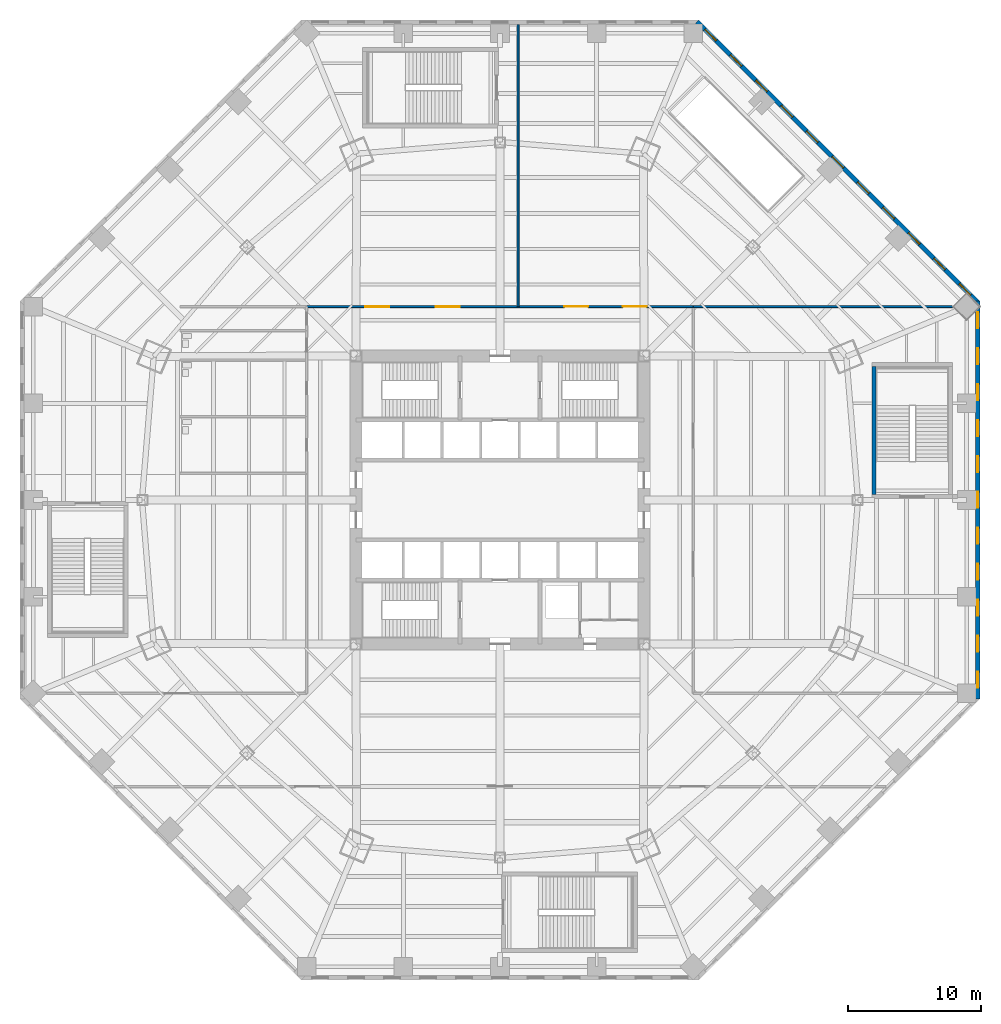
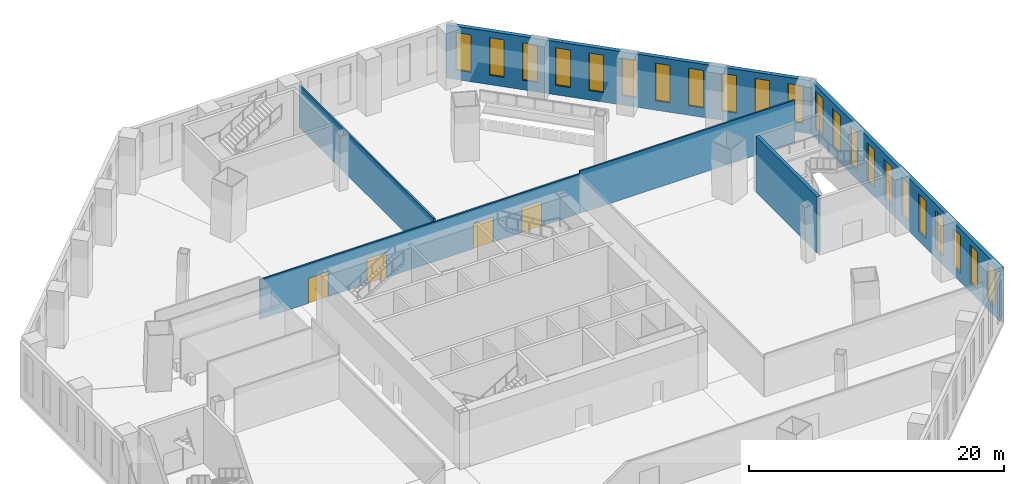
# One storey, part 12 of 18: 22 windows, 6 walls, 4 doors, 26 openings.
"""IFC4 building model written with IfcOpenShell, lengths in metres."""

from ifc_helpers import new_model, si_unit, direction, frame, frame_2d, origin, place, context, subcontext, project, spatial, rectangle, extrude, material, layer, layer_set, type_object, element, fill, save


model = new_model("IFC4")

# Units and contexts
model_context = context("Model", 3, precision=1e-05, world=origin(), true_north=direction((0.0, 1.0)))
body_context = subcontext(model_context, "Body", "Model", "MODEL_VIEW")
ifc_project = project(units=[si_unit("LENGTHUNIT", "METRE"), si_unit("AREAUNIT", "SQUARE_METRE"), si_unit("VOLUMEUNIT", "CUBIC_METRE"), si_unit("PLANEANGLEUNIT", "RADIAN"), si_unit("MASSUNIT", "GRAM", prefix="KILO")], contexts=[model_context])

# Site, building, storey
site_placement = place(None, origin())
site = spatial("IfcSite", under=ifc_project, at=site_placement, CompositionType="ELEMENT")
building_placement = place(site_placement, origin())
building = spatial("IfcBuilding", under=site, at=building_placement, Name="Mashrafa Tower", CompositionType="ELEMENT")
storey_placement = place(building_placement, frame((0.0, 0.0, 13.199951171875)))
storey = spatial("IfcBuildingStorey", under=building, at=storey_placement, Name="L02", CompositionType="ELEMENT", Elevation=13.199951171875)

# Wall, openings, doors
ifc_material_1 = material(Name="Gypsum board on steel studs", Category="steel")
ifc_layer_1 = layer(ifc_material_1, 0.14990234375)
ifc_layer_set_1 = layer_set([ifc_layer_1], Name="Corridor partition 150 1 hr")
wall_type_1 = type_object("IfcWallType", Name="Corridor partition 150 1 hr", PredefinedType="PARTITIONING", material=ifc_layer_set_1)
wall_1_placement = place(storey_placement, frame((-14.5009765625, 14.5, 0.0), z_axis=(0.0, 0.0, 1.0), x_axis=(1.0, 0.0, 0.0)))
wall_1 = element("IfcWall", 1, at=wall_1_placement, inside=storey, type_object=wall_type_1, Name="Corridor wall L02-011", PredefinedType="PARTITIONING", context=body_context, shape_type="SweptSolid", body=[
    extrude(rectangle(XDim=29.001953125, YDim=0.14990234375, at=frame_2d((14.5009765625, 0.0))), origin(), (0.0, 0.0, 1.0), 3.7900390625),
])
opening_1_placement = place(wall_1_placement, frame((4.3837890625, 0.0, 0.0)))
opening_1 = element("IfcOpeningElement", 2, at=opening_1_placement, cuts=wall_1, Name="Opening 02.005", PredefinedType="OPENING", context=body_context, shape_type="SweptSolid", body=[
    extrude(rectangle(XDim=1.800048828125, YDim=2.39990234375, at=frame_2d((0.89990234375, 1.199951171875))), frame((0.0, 0.0849609375, 0.0), z_axis=(0.0, -1.0, 0.0), x_axis=(1.0, 0.0, 0.0)), (0.0, 0.0, 1.0), 0.169921875),
])
opening_2_placement = place(wall_1_placement, frame((9.667236328125, 0.0, 0.0)))
opening_2 = element("IfcOpeningElement", 3, at=opening_2_placement, cuts=wall_1, Name="Opening 02.006", PredefinedType="OPENING", context=body_context, shape_type="SweptSolid", body=[
    extrude(rectangle(XDim=1.800048828125, YDim=2.39990234375, at=frame_2d((0.89990234375, 1.199951171875))), frame((0.0, 0.0849609375, 0.0), z_axis=(0.0, -1.0, 0.0), x_axis=(1.0, 0.0, 0.0)), (0.0, 0.0, 1.0), 0.169921875),
])
opening_3_placement = place(wall_1_placement, frame((19.334716796875, 0.0, 0.0)))
opening_3 = element("IfcOpeningElement", 4, at=opening_3_placement, cuts=wall_1, Name="Opening 02.007", PredefinedType="OPENING", context=body_context, shape_type="SweptSolid", body=[
    extrude(rectangle(XDim=1.800048828125, YDim=2.39990234375, at=frame_2d((0.89990234375, 1.199951171875))), frame((0.0, 0.0849609375, 0.0), z_axis=(0.0, -1.0, 0.0), x_axis=(1.0, 0.0, 0.0)), (0.0, 0.0, 1.0), 0.169921875),
])
opening_4_placement = place(wall_1_placement, frame((23.71826171875, 0.0, 0.0)))
opening_4 = element("IfcOpeningElement", 5, at=opening_4_placement, cuts=wall_1, Name="Opening 02.008", PredefinedType="OPENING", context=body_context, shape_type="SweptSolid", body=[
    extrude(rectangle(XDim=1.800048828125, YDim=2.39990234375, at=frame_2d((0.89990234375, 1.199951171875))), frame((0.0, 0.0849609375, 0.0), z_axis=(0.0, -1.0, 0.0), x_axis=(1.0, 0.0, 0.0)), (0.0, 0.0, 1.0), 0.169921875),
])
ifc_material_2 = material(Name="Timber door", Category="wood")
door_type = type_object("IfcDoorType", Name="Door pair 1800 x 2400", OperationType="DOUBLE_DOOR_SINGLE_SWING", PredefinedType="DOOR", material=ifc_material_2)
door_1_placement = place(opening_1_placement, origin())
door_1 = element("IfcDoor", 6, at=door_1_placement, inside=storey, type_object=door_type, Name="Exhibition Gallery 201 door", OperationType="DOUBLE_DOOR_SINGLE_SWING", OverallHeight=2.39990234375, OverallWidth=1.800048828125, PredefinedType="DOOR", context=body_context, shape_type="SweptSolid", body=[
    extrude(rectangle(XDim=1.800048828125, YDim=2.39990234375, at=frame_2d((0.89990234375, 1.199951171875))), frame((0.0, 0.02490234375, 0.0), z_axis=(0.0, -1.0, 0.0), x_axis=(1.0, 0.0, 0.0)), (0.0, 0.0, 1.0), 0.050048828125),
])
fill(opening_1, door_1)
door_2_placement = place(opening_2_placement, origin())
door_2 = element("IfcDoor", 7, at=door_2_placement, inside=storey, type_object=door_type, Name="Exhibition Gallery 201 door", OperationType="DOUBLE_DOOR_SINGLE_SWING", OverallHeight=2.39990234375, OverallWidth=1.800048828125, PredefinedType="DOOR", context=body_context, shape_type="SweptSolid", body=[
    extrude(rectangle(XDim=1.800048828125, YDim=2.39990234375, at=frame_2d((0.89990234375, 1.199951171875))), frame((0.0, 0.02490234375, 0.0), z_axis=(0.0, -1.0, 0.0), x_axis=(1.0, 0.0, 0.0)), (0.0, 0.0, 1.0), 0.050048828125),
])
fill(opening_2, door_2)
door_3_placement = place(opening_3_placement, frame((1.800048828125, 0.0, 0.0), z_axis=(0.0, 0.0, 1.0), x_axis=(-1.0, 0.0, 0.0)))
door_3 = element("IfcDoor", 8, at=door_3_placement, inside=storey, type_object=door_type, Name="Exhibition Gallery 202 door", OperationType="DOUBLE_DOOR_SINGLE_SWING", OverallHeight=2.39990234375, OverallWidth=1.800048828125, PredefinedType="DOOR", context=body_context, shape_type="SweptSolid", body=[
    extrude(rectangle(XDim=1.800048828125, YDim=2.39990234375, at=frame_2d((0.89990234375, 1.199951171875))), frame((0.0, 0.02490234375, 0.0), z_axis=(0.0, -1.0, 0.0), x_axis=(1.0, 0.0, 0.0)), (0.0, 0.0, 1.0), 0.050048828125),
])
fill(opening_3, door_3)
door_4_placement = place(opening_4_placement, frame((1.800048828125, 0.0, 0.0), z_axis=(0.0, 0.0, 1.0), x_axis=(-1.0, 0.0, 0.0)))
door_4 = element("IfcDoor", 9, at=door_4_placement, inside=storey, type_object=door_type, Name="Exhibition Gallery 202 door", OperationType="DOUBLE_DOOR_SINGLE_SWING", OverallHeight=2.39990234375, OverallWidth=1.800048828125, PredefinedType="DOOR", context=body_context, shape_type="SweptSolid", body=[
    extrude(rectangle(XDim=1.800048828125, YDim=2.39990234375, at=frame_2d((0.89990234375, 1.199951171875))), frame((0.0, 0.02490234375, 0.0), z_axis=(0.0, -1.0, 0.0), x_axis=(1.0, 0.0, 0.0)), (0.0, 0.0, 1.0), 0.050048828125),
])
fill(opening_4, door_4)

# Wall, openings, windows
ifc_material_3 = material(Name="Riyadh limestone cladding on blockwork", Category="masonry")
ifc_layer_2 = layer(ifc_material_3, 0.35009765625)
ifc_layer_set_2 = layer_set([ifc_layer_2], Name="Limestone-clad external wall 350")
wall_type_2 = type_object("IfcWallType", Name="Limestone-clad external wall 350", PredefinedType="SOLIDWALL", material=ifc_layer_set_2)
wall_2_placement = place(storey_placement, frame((35.824951171875, -14.91162109375, 0.0), z_axis=(0.0, 0.0, 1.0), x_axis=(0.0, 1.0, 0.0)))
wall_2 = element("IfcWall", 10, at=wall_2_placement, inside=storey, type_object=wall_type_2, Name="Limestone-clad external wall L02 east", PredefinedType="SOLIDWALL", context=body_context, shape_type="SweptSolid", body=[
    extrude(rectangle(XDim=29.8232421875, YDim=0.35009765625, at=frame_2d((14.91162109375, 0.0))), origin(), (0.0, 0.0, 1.0), 5.10009765625),
])
opening_5_placement = place(wall_2_placement, frame((0.821533203125, 0.0, 0.89990234375)))
opening_5 = element("IfcOpeningElement", 11, at=opening_5_placement, cuts=wall_2, Name="Opening W2", PredefinedType="OPENING", context=body_context, shape_type="SweptSolid", body=[
    extrude(rectangle(XDim=1.199951171875, YDim=3.60009765625, at=frame_2d((0.60009765625, 1.800048828125))), frame((0.0, 0.18505859375, 0.0), z_axis=(0.0, -1.0, 0.0), x_axis=(1.0, 0.0, 0.0)), (0.0, 0.0, 1.0), 0.3701171875),
])
opening_6_placement = place(wall_2_placement, frame((3.51953125, 0.0, 0.89990234375)))
opening_6 = element("IfcOpeningElement", 12, at=opening_6_placement, cuts=wall_2, Name="Opening W2", PredefinedType="OPENING", context=body_context, shape_type="SweptSolid", body=[
    extrude(rectangle(XDim=1.199951171875, YDim=3.60009765625, at=frame_2d((0.60009765625, 1.800048828125))), frame((0.0, 0.18505859375, 0.0), z_axis=(0.0, -1.0, 0.0), x_axis=(1.0, 0.0, 0.0)), (0.0, 0.0, 1.0), 0.3701171875),
])
opening_7_placement = place(wall_2_placement, frame((6.217529296875, 0.0, 0.89990234375)))
opening_7 = element("IfcOpeningElement", 13, at=opening_7_placement, cuts=wall_2, Name="Opening W2", PredefinedType="OPENING", context=body_context, shape_type="SweptSolid", body=[
    extrude(rectangle(XDim=1.199951171875, YDim=3.60009765625, at=frame_2d((0.60009765625, 1.800048828125))), frame((0.0, 0.18505859375, 0.0), z_axis=(0.0, -1.0, 0.0), x_axis=(1.0, 0.0, 0.0)), (0.0, 0.0, 1.0), 0.3701171875),
])
opening_8_placement = place(wall_2_placement, frame((8.91552734375, 0.0, 0.89990234375)))
opening_8 = element("IfcOpeningElement", 14, at=opening_8_placement, cuts=wall_2, Name="Opening W2", PredefinedType="OPENING", context=body_context, shape_type="SweptSolid", body=[
    extrude(rectangle(XDim=1.199951171875, YDim=3.60009765625, at=frame_2d((0.60009765625, 1.800048828125))), frame((0.0, 0.18505859375, 0.0), z_axis=(0.0, -1.0, 0.0), x_axis=(1.0, 0.0, 0.0)), (0.0, 0.0, 1.0), 0.3701171875),
])
opening_9_placement = place(wall_2_placement, frame((11.61376953125, 0.0, 0.89990234375)))
opening_9 = element("IfcOpeningElement", 15, at=opening_9_placement, cuts=wall_2, Name="Opening W2", PredefinedType="OPENING", context=body_context, shape_type="SweptSolid", body=[
    extrude(rectangle(XDim=1.199951171875, YDim=3.60009765625, at=frame_2d((0.60009765625, 1.800048828125))), frame((0.0, 0.18505859375, 0.0), z_axis=(0.0, -1.0, 0.0), x_axis=(1.0, 0.0, 0.0)), (0.0, 0.0, 1.0), 0.3701171875),
])
opening_10_placement = place(wall_2_placement, frame((14.311767578125, 0.0, 0.89990234375)))
opening_10 = element("IfcOpeningElement", 16, at=opening_10_placement, cuts=wall_2, Name="Opening W2", PredefinedType="OPENING", context=body_context, shape_type="SweptSolid", body=[
    extrude(rectangle(XDim=1.199951171875, YDim=3.60009765625, at=frame_2d((0.60009765625, 1.800048828125))), frame((0.0, 0.18505859375, 0.0), z_axis=(0.0, -1.0, 0.0), x_axis=(1.0, 0.0, 0.0)), (0.0, 0.0, 1.0), 0.3701171875),
])
opening_11_placement = place(wall_2_placement, frame((17.009765625, 0.0, 0.89990234375)))
opening_11 = element("IfcOpeningElement", 17, at=opening_11_placement, cuts=wall_2, Name="Opening W2", PredefinedType="OPENING", context=body_context, shape_type="SweptSolid", body=[
    extrude(rectangle(XDim=1.199951171875, YDim=3.60009765625, at=frame_2d((0.60009765625, 1.800048828125))), frame((0.0, 0.18505859375, 0.0), z_axis=(0.0, -1.0, 0.0), x_axis=(1.0, 0.0, 0.0)), (0.0, 0.0, 1.0), 0.3701171875),
])
opening_12_placement = place(wall_2_placement, frame((19.707763671875, 0.0, 0.89990234375)))
opening_12 = element("IfcOpeningElement", 18, at=opening_12_placement, cuts=wall_2, Name="Opening W2", PredefinedType="OPENING", context=body_context, shape_type="SweptSolid", body=[
    extrude(rectangle(XDim=1.199951171875, YDim=3.60009765625, at=frame_2d((0.60009765625, 1.800048828125))), frame((0.0, 0.18505859375, 0.0), z_axis=(0.0, -1.0, 0.0), x_axis=(1.0, 0.0, 0.0)), (0.0, 0.0, 1.0), 0.3701171875),
])
opening_13_placement = place(wall_2_placement, frame((22.40576171875, 0.0, 0.89990234375)))
opening_13 = element("IfcOpeningElement", 19, at=opening_13_placement, cuts=wall_2, Name="Opening W2", PredefinedType="OPENING", context=body_context, shape_type="SweptSolid", body=[
    extrude(rectangle(XDim=1.199951171875, YDim=3.60009765625, at=frame_2d((0.60009765625, 1.800048828125))), frame((0.0, 0.18505859375, 0.0), z_axis=(0.0, -1.0, 0.0), x_axis=(1.0, 0.0, 0.0)), (0.0, 0.0, 1.0), 0.3701171875),
])
opening_14_placement = place(wall_2_placement, frame((25.103759765625, 0.0, 0.89990234375)))
opening_14 = element("IfcOpeningElement", 20, at=opening_14_placement, cuts=wall_2, Name="Opening W2", PredefinedType="OPENING", context=body_context, shape_type="SweptSolid", body=[
    extrude(rectangle(XDim=1.199951171875, YDim=3.60009765625, at=frame_2d((0.60009765625, 1.800048828125))), frame((0.0, 0.18505859375, 0.0), z_axis=(0.0, -1.0, 0.0), x_axis=(1.0, 0.0, 0.0)), (0.0, 0.0, 1.0), 0.3701171875),
])
opening_15_placement = place(wall_2_placement, frame((27.8017578125, 0.0, 0.89990234375)))
opening_15 = element("IfcOpeningElement", 21, at=opening_15_placement, cuts=wall_2, Name="Opening W2", PredefinedType="OPENING", context=body_context, shape_type="SweptSolid", body=[
    extrude(rectangle(XDim=1.199951171875, YDim=3.60009765625, at=frame_2d((0.60009765625, 1.800048828125))), frame((0.0, 0.18505859375, 0.0), z_axis=(0.0, -1.0, 0.0), x_axis=(1.0, 0.0, 0.0)), (0.0, 0.0, 1.0), 0.3701171875),
])
ifc_material_4 = material(Name="Bronze-framed insulated glazing", Category="glass")
window_type = type_object("IfcWindowType", Name="Tall punched window 1200 x 3600", PartitioningType="DOUBLE_PANEL_HORIZONTAL", PredefinedType="WINDOW", material=ifc_material_4)
window_1_placement = place(opening_5_placement, origin())
window_1 = element("IfcWindow", 22, at=window_1_placement, inside=storey, type_object=window_type, Name="Window W2 L02 east bay 1", OverallHeight=3.60009765625, OverallWidth=1.199951171875, PartitioningType="SINGLE_PANEL", PredefinedType="WINDOW", context=body_context, shape_type="SweptSolid", body=[
    extrude(rectangle(XDim=1.199951171875, YDim=3.60009765625, at=frame_2d((0.60009765625, 1.800048828125))), frame((0.0, 0.030029296875, 0.0), z_axis=(0.0, -1.0, 0.0), x_axis=(1.0, 0.0, 0.0)), (0.0, 0.0, 1.0), 0.06005859375),
])
fill(opening_5, window_1)
window_2_placement = place(opening_6_placement, origin())
window_2 = element("IfcWindow", 23, at=window_2_placement, inside=storey, type_object=window_type, Name="Window W2 L02 east bay 2", OverallHeight=3.60009765625, OverallWidth=1.199951171875, PartitioningType="SINGLE_PANEL", PredefinedType="WINDOW", context=body_context, shape_type="SweptSolid", body=[
    extrude(rectangle(XDim=1.199951171875, YDim=3.60009765625, at=frame_2d((0.60009765625, 1.800048828125))), frame((0.0, 0.030029296875, 0.0), z_axis=(0.0, -1.0, 0.0), x_axis=(1.0, 0.0, 0.0)), (0.0, 0.0, 1.0), 0.06005859375),
])
fill(opening_6, window_2)
window_3_placement = place(opening_7_placement, origin())
window_3 = element("IfcWindow", 24, at=window_3_placement, inside=storey, type_object=window_type, Name="Window W2 L02 east bay 3", OverallHeight=3.60009765625, OverallWidth=1.199951171875, PartitioningType="SINGLE_PANEL", PredefinedType="WINDOW", context=body_context, shape_type="SweptSolid", body=[
    extrude(rectangle(XDim=1.199951171875, YDim=3.60009765625, at=frame_2d((0.60009765625, 1.800048828125))), frame((0.0, 0.030029296875, 0.0), z_axis=(0.0, -1.0, 0.0), x_axis=(1.0, 0.0, 0.0)), (0.0, 0.0, 1.0), 0.06005859375),
])
fill(opening_7, window_3)
window_4_placement = place(opening_8_placement, origin())
window_4 = element("IfcWindow", 25, at=window_4_placement, inside=storey, type_object=window_type, Name="Window W2 L02 east bay 4", OverallHeight=3.60009765625, OverallWidth=1.199951171875, PartitioningType="SINGLE_PANEL", PredefinedType="WINDOW", context=body_context, shape_type="SweptSolid", body=[
    extrude(rectangle(XDim=1.199951171875, YDim=3.60009765625, at=frame_2d((0.60009765625, 1.800048828125))), frame((0.0, 0.030029296875, 0.0), z_axis=(0.0, -1.0, 0.0), x_axis=(1.0, 0.0, 0.0)), (0.0, 0.0, 1.0), 0.06005859375),
])
fill(opening_8, window_4)
window_5_placement = place(opening_9_placement, origin())
window_5 = element("IfcWindow", 26, at=window_5_placement, inside=storey, type_object=window_type, Name="Window W2 L02 east bay 5", OverallHeight=3.60009765625, OverallWidth=1.199951171875, PartitioningType="SINGLE_PANEL", PredefinedType="WINDOW", context=body_context, shape_type="SweptSolid", body=[
    extrude(rectangle(XDim=1.199951171875, YDim=3.60009765625, at=frame_2d((0.60009765625, 1.800048828125))), frame((0.0, 0.030029296875, 0.0), z_axis=(0.0, -1.0, 0.0), x_axis=(1.0, 0.0, 0.0)), (0.0, 0.0, 1.0), 0.06005859375),
])
fill(opening_9, window_5)
window_6_placement = place(opening_10_placement, origin())
window_6 = element("IfcWindow", 27, at=window_6_placement, inside=storey, type_object=window_type, Name="Window W2 L02 east bay 6", OverallHeight=3.60009765625, OverallWidth=1.199951171875, PartitioningType="SINGLE_PANEL", PredefinedType="WINDOW", context=body_context, shape_type="SweptSolid", body=[
    extrude(rectangle(XDim=1.199951171875, YDim=3.60009765625, at=frame_2d((0.60009765625, 1.800048828125))), frame((0.0, 0.030029296875, 0.0), z_axis=(0.0, -1.0, 0.0), x_axis=(1.0, 0.0, 0.0)), (0.0, 0.0, 1.0), 0.06005859375),
])
fill(opening_10, window_6)
window_7_placement = place(opening_11_placement, origin())
window_7 = element("IfcWindow", 28, at=window_7_placement, inside=storey, type_object=window_type, Name="Window W2 L02 east bay 7", OverallHeight=3.60009765625, OverallWidth=1.199951171875, PartitioningType="SINGLE_PANEL", PredefinedType="WINDOW", context=body_context, shape_type="SweptSolid", body=[
    extrude(rectangle(XDim=1.199951171875, YDim=3.60009765625, at=frame_2d((0.60009765625, 1.800048828125))), frame((0.0, 0.030029296875, 0.0), z_axis=(0.0, -1.0, 0.0), x_axis=(1.0, 0.0, 0.0)), (0.0, 0.0, 1.0), 0.06005859375),
])
fill(opening_11, window_7)
window_8_placement = place(opening_12_placement, origin())
window_8 = element("IfcWindow", 29, at=window_8_placement, inside=storey, type_object=window_type, Name="Window W2 L02 east bay 8", OverallHeight=3.60009765625, OverallWidth=1.199951171875, PartitioningType="SINGLE_PANEL", PredefinedType="WINDOW", context=body_context, shape_type="SweptSolid", body=[
    extrude(rectangle(XDim=1.199951171875, YDim=3.60009765625, at=frame_2d((0.60009765625, 1.800048828125))), frame((0.0, 0.030029296875, 0.0), z_axis=(0.0, -1.0, 0.0), x_axis=(1.0, 0.0, 0.0)), (0.0, 0.0, 1.0), 0.06005859375),
])
fill(opening_12, window_8)
window_9_placement = place(opening_13_placement, origin())
window_9 = element("IfcWindow", 30, at=window_9_placement, inside=storey, type_object=window_type, Name="Window W2 L02 east bay 9", OverallHeight=3.60009765625, OverallWidth=1.199951171875, PartitioningType="SINGLE_PANEL", PredefinedType="WINDOW", context=body_context, shape_type="SweptSolid", body=[
    extrude(rectangle(XDim=1.199951171875, YDim=3.60009765625, at=frame_2d((0.60009765625, 1.800048828125))), frame((0.0, 0.030029296875, 0.0), z_axis=(0.0, -1.0, 0.0), x_axis=(1.0, 0.0, 0.0)), (0.0, 0.0, 1.0), 0.06005859375),
])
fill(opening_13, window_9)
window_10_placement = place(opening_14_placement, origin())
window_10 = element("IfcWindow", 31, at=window_10_placement, inside=storey, type_object=window_type, Name="Window W2 L02 east bay 10", OverallHeight=3.60009765625, OverallWidth=1.199951171875, PartitioningType="SINGLE_PANEL", PredefinedType="WINDOW", context=body_context, shape_type="SweptSolid", body=[
    extrude(rectangle(XDim=1.199951171875, YDim=3.60009765625, at=frame_2d((0.60009765625, 1.800048828125))), frame((0.0, 0.030029296875, 0.0), z_axis=(0.0, -1.0, 0.0), x_axis=(1.0, 0.0, 0.0)), (0.0, 0.0, 1.0), 0.06005859375),
])
fill(opening_14, window_10)
window_11_placement = place(opening_15_placement, origin())
window_11 = element("IfcWindow", 32, at=window_11_placement, inside=storey, type_object=window_type, Name="Window W2 L02 east bay 11", OverallHeight=3.60009765625, OverallWidth=1.199951171875, PartitioningType="SINGLE_PANEL", PredefinedType="WINDOW", context=body_context, shape_type="SweptSolid", body=[
    extrude(rectangle(XDim=1.199951171875, YDim=3.60009765625, at=frame_2d((0.60009765625, 1.800048828125))), frame((0.0, 0.030029296875, 0.0), z_axis=(0.0, -1.0, 0.0), x_axis=(1.0, 0.0, 0.0)), (0.0, 0.0, 1.0), 0.06005859375),
])
fill(opening_15, window_11)

wall_3_placement = place(storey_placement, frame((35.876220703125, 14.787841796875, 0.0), z_axis=(0.0, 0.0, 1.0), x_axis=(-0.707106781187, 0.707106781187, 0.0)))
wall_3 = element("IfcWall", 33, at=wall_3_placement, inside=storey, type_object=wall_type_2, Name="Limestone-clad external wall L02 north-east", PredefinedType="SOLIDWALL", context=body_context, shape_type="SweptSolid", body=[
    extrude(rectangle(XDim=29.823486328125, YDim=0.35009765625, at=frame_2d((14.91162109375, 0.0))), origin(), (0.0, 0.0, 1.0), 5.10009765625),
])
opening_16_placement = place(wall_3_placement, frame((0.821533203125, 0.0, 0.89990234375)))
opening_16 = element("IfcOpeningElement", 34, at=opening_16_placement, cuts=wall_3, Name="Opening W2", PredefinedType="OPENING", context=body_context, shape_type="SweptSolid", body=[
    extrude(rectangle(XDim=1.199951171875, YDim=3.60009765625, at=frame_2d((0.60009765625, 1.800048828125))), frame((0.0, 0.18505859375, 0.0), z_axis=(0.0, -1.0, 0.0), x_axis=(1.0, 0.0, 0.0)), (0.0, 0.0, 1.0), 0.3701171875),
])
opening_17_placement = place(wall_3_placement, frame((3.51953125, 0.0, 0.89990234375)))
opening_17 = element("IfcOpeningElement", 35, at=opening_17_placement, cuts=wall_3, Name="Opening W2", PredefinedType="OPENING", context=body_context, shape_type="SweptSolid", body=[
    extrude(rectangle(XDim=1.199951171875, YDim=3.60009765625, at=frame_2d((0.60009765625, 1.800048828125))), frame((0.0, 0.18505859375, 0.0), z_axis=(0.0, -1.0, 0.0), x_axis=(1.0, 0.0, 0.0)), (0.0, 0.0, 1.0), 0.3701171875),
])
opening_18_placement = place(wall_3_placement, frame((6.217529296875, 0.0, 0.89990234375)))
opening_18 = element("IfcOpeningElement", 36, at=opening_18_placement, cuts=wall_3, Name="Opening W2", PredefinedType="OPENING", context=body_context, shape_type="SweptSolid", body=[
    extrude(rectangle(XDim=1.199951171875, YDim=3.60009765625, at=frame_2d((0.60009765625, 1.800048828125))), frame((0.0, 0.18505859375, 0.0), z_axis=(0.0, -1.0, 0.0), x_axis=(1.0, 0.0, 0.0)), (0.0, 0.0, 1.0), 0.3701171875),
])
opening_19_placement = place(wall_3_placement, frame((8.91552734375, 0.0, 0.89990234375)))
opening_19 = element("IfcOpeningElement", 37, at=opening_19_placement, cuts=wall_3, Name="Opening W2", PredefinedType="OPENING", context=body_context, shape_type="SweptSolid", body=[
    extrude(rectangle(XDim=1.199951171875, YDim=3.60009765625, at=frame_2d((0.60009765625, 1.800048828125))), frame((0.0, 0.18505859375, 0.0), z_axis=(0.0, -1.0, 0.0), x_axis=(1.0, 0.0, 0.0)), (0.0, 0.0, 1.0), 0.3701171875),
])
opening_20_placement = place(wall_3_placement, frame((11.61376953125, 0.0, 0.89990234375)))
opening_20 = element("IfcOpeningElement", 38, at=opening_20_placement, cuts=wall_3, Name="Opening W2", PredefinedType="OPENING", context=body_context, shape_type="SweptSolid", body=[
    extrude(rectangle(XDim=1.199951171875, YDim=3.60009765625, at=frame_2d((0.60009765625, 1.800048828125))), frame((0.0, 0.18505859375, 0.0), z_axis=(0.0, -1.0, 0.0), x_axis=(1.0, 0.0, 0.0)), (0.0, 0.0, 1.0), 0.3701171875),
])
opening_21_placement = place(wall_3_placement, frame((14.311767578125, 0.0, 0.89990234375)))
opening_21 = element("IfcOpeningElement", 39, at=opening_21_placement, cuts=wall_3, Name="Opening W2", PredefinedType="OPENING", context=body_context, shape_type="SweptSolid", body=[
    extrude(rectangle(XDim=1.199951171875, YDim=3.60009765625, at=frame_2d((0.60009765625, 1.800048828125))), frame((0.0, 0.18505859375, 0.0), z_axis=(0.0, -1.0, 0.0), x_axis=(1.0, 0.0, 0.0)), (0.0, 0.0, 1.0), 0.3701171875),
])
opening_22_placement = place(wall_3_placement, frame((17.009765625, 0.0, 0.89990234375)))
opening_22 = element("IfcOpeningElement", 40, at=opening_22_placement, cuts=wall_3, Name="Opening W2", PredefinedType="OPENING", context=body_context, shape_type="SweptSolid", body=[
    extrude(rectangle(XDim=1.199951171875, YDim=3.60009765625, at=frame_2d((0.60009765625, 1.800048828125))), frame((0.0, 0.18505859375, 0.0), z_axis=(0.0, -1.0, 0.0), x_axis=(1.0, 0.0, 0.0)), (0.0, 0.0, 1.0), 0.3701171875),
])
opening_23_placement = place(wall_3_placement, frame((19.707763671875, 0.0, 0.89990234375)))
opening_23 = element("IfcOpeningElement", 41, at=opening_23_placement, cuts=wall_3, Name="Opening W2", PredefinedType="OPENING", context=body_context, shape_type="SweptSolid", body=[
    extrude(rectangle(XDim=1.199951171875, YDim=3.60009765625, at=frame_2d((0.60009765625, 1.800048828125))), frame((0.0, 0.18505859375, 0.0), z_axis=(0.0, -1.0, 0.0), x_axis=(1.0, 0.0, 0.0)), (0.0, 0.0, 1.0), 0.3701171875),
])
opening_24_placement = place(wall_3_placement, frame((22.40576171875, 0.0, 0.89990234375)))
opening_24 = element("IfcOpeningElement", 42, at=opening_24_placement, cuts=wall_3, Name="Opening W2", PredefinedType="OPENING", context=body_context, shape_type="SweptSolid", body=[
    extrude(rectangle(XDim=1.199951171875, YDim=3.60009765625, at=frame_2d((0.60009765625, 1.800048828125))), frame((0.0, 0.18505859375, 0.0), z_axis=(0.0, -1.0, 0.0), x_axis=(1.0, 0.0, 0.0)), (0.0, 0.0, 1.0), 0.3701171875),
])
opening_25_placement = place(wall_3_placement, frame((25.103759765625, 0.0, 0.89990234375)))
opening_25 = element("IfcOpeningElement", 43, at=opening_25_placement, cuts=wall_3, Name="Opening W2", PredefinedType="OPENING", context=body_context, shape_type="SweptSolid", body=[
    extrude(rectangle(XDim=1.199951171875, YDim=3.60009765625, at=frame_2d((0.60009765625, 1.800048828125))), frame((0.0, 0.18505859375, 0.0), z_axis=(0.0, -1.0, 0.0), x_axis=(1.0, 0.0, 0.0)), (0.0, 0.0, 1.0), 0.3701171875),
])
opening_26_placement = place(wall_3_placement, frame((27.8017578125, 0.0, 0.89990234375)))
opening_26 = element("IfcOpeningElement", 44, at=opening_26_placement, cuts=wall_3, Name="Opening W2", PredefinedType="OPENING", context=body_context, shape_type="SweptSolid", body=[
    extrude(rectangle(XDim=1.199951171875, YDim=3.60009765625, at=frame_2d((0.60009765625, 1.800048828125))), frame((0.0, 0.18505859375, 0.0), z_axis=(0.0, -1.0, 0.0), x_axis=(1.0, 0.0, 0.0)), (0.0, 0.0, 1.0), 0.3701171875),
])
window_12_placement = place(opening_16_placement, origin())
window_12 = element("IfcWindow", 45, at=window_12_placement, inside=storey, type_object=window_type, Name="Window W2 L02 north-east bay 1", OverallHeight=3.60009765625, OverallWidth=1.199951171875, PartitioningType="SINGLE_PANEL", PredefinedType="WINDOW", context=body_context, shape_type="SweptSolid", body=[
    extrude(rectangle(XDim=1.199951171875, YDim=3.60009765625, at=frame_2d((0.60009765625, 1.800048828125))), frame((0.0, 0.030029296875, 0.0), z_axis=(0.0, -1.0, 0.0), x_axis=(1.0, 0.0, 0.0)), (0.0, 0.0, 1.0), 0.06005859375),
])
fill(opening_16, window_12)
window_13_placement = place(opening_17_placement, origin())
window_13 = element("IfcWindow", 46, at=window_13_placement, inside=storey, type_object=window_type, Name="Window W2 L02 north-east bay 2", OverallHeight=3.60009765625, OverallWidth=1.199951171875, PartitioningType="SINGLE_PANEL", PredefinedType="WINDOW", context=body_context, shape_type="SweptSolid", body=[
    extrude(rectangle(XDim=1.199951171875, YDim=3.60009765625, at=frame_2d((0.60009765625, 1.800048828125))), frame((0.0, 0.030029296875, 0.0), z_axis=(0.0, -1.0, 0.0), x_axis=(1.0, 0.0, 0.0)), (0.0, 0.0, 1.0), 0.06005859375),
])
fill(opening_17, window_13)
window_14_placement = place(opening_18_placement, origin())
window_14 = element("IfcWindow", 47, at=window_14_placement, inside=storey, type_object=window_type, Name="Window W2 L02 north-east bay 3", OverallHeight=3.60009765625, OverallWidth=1.199951171875, PartitioningType="SINGLE_PANEL", PredefinedType="WINDOW", context=body_context, shape_type="SweptSolid", body=[
    extrude(rectangle(XDim=1.199951171875, YDim=3.60009765625, at=frame_2d((0.60009765625, 1.800048828125))), frame((0.0, 0.030029296875, 0.0), z_axis=(0.0, -1.0, 0.0), x_axis=(1.0, 0.0, 0.0)), (0.0, 0.0, 1.0), 0.06005859375),
])
fill(opening_18, window_14)
window_15_placement = place(opening_19_placement, origin())
window_15 = element("IfcWindow", 48, at=window_15_placement, inside=storey, type_object=window_type, Name="Window W2 L02 north-east bay 4", OverallHeight=3.60009765625, OverallWidth=1.199951171875, PartitioningType="SINGLE_PANEL", PredefinedType="WINDOW", context=body_context, shape_type="SweptSolid", body=[
    extrude(rectangle(XDim=1.199951171875, YDim=3.60009765625, at=frame_2d((0.60009765625, 1.800048828125))), frame((0.0, 0.030029296875, 0.0), z_axis=(0.0, -1.0, 0.0), x_axis=(1.0, 0.0, 0.0)), (0.0, 0.0, 1.0), 0.06005859375),
])
fill(opening_19, window_15)
window_16_placement = place(opening_20_placement, origin())
window_16 = element("IfcWindow", 49, at=window_16_placement, inside=storey, type_object=window_type, Name="Window W2 L02 north-east bay 5", OverallHeight=3.60009765625, OverallWidth=1.199951171875, PartitioningType="SINGLE_PANEL", PredefinedType="WINDOW", context=body_context, shape_type="SweptSolid", body=[
    extrude(rectangle(XDim=1.199951171875, YDim=3.60009765625, at=frame_2d((0.60009765625, 1.800048828125))), frame((0.0, 0.030029296875, 0.0), z_axis=(0.0, -1.0, 0.0), x_axis=(1.0, 0.0, 0.0)), (0.0, 0.0, 1.0), 0.06005859375),
])
fill(opening_20, window_16)
window_17_placement = place(opening_21_placement, origin())
window_17 = element("IfcWindow", 50, at=window_17_placement, inside=storey, type_object=window_type, Name="Window W2 L02 north-east bay 6", OverallHeight=3.60009765625, OverallWidth=1.199951171875, PartitioningType="SINGLE_PANEL", PredefinedType="WINDOW", context=body_context, shape_type="SweptSolid", body=[
    extrude(rectangle(XDim=1.199951171875, YDim=3.60009765625, at=frame_2d((0.60009765625, 1.800048828125))), frame((0.0, 0.030029296875, 0.0), z_axis=(0.0, -1.0, 0.0), x_axis=(1.0, 0.0, 0.0)), (0.0, 0.0, 1.0), 0.06005859375),
])
fill(opening_21, window_17)
window_18_placement = place(opening_22_placement, origin())
window_18 = element("IfcWindow", 51, at=window_18_placement, inside=storey, type_object=window_type, Name="Window W2 L02 north-east bay 7", OverallHeight=3.60009765625, OverallWidth=1.199951171875, PartitioningType="SINGLE_PANEL", PredefinedType="WINDOW", context=body_context, shape_type="SweptSolid", body=[
    extrude(rectangle(XDim=1.199951171875, YDim=3.60009765625, at=frame_2d((0.60009765625, 1.800048828125))), frame((0.0, 0.030029296875, 0.0), z_axis=(0.0, -1.0, 0.0), x_axis=(1.0, 0.0, 0.0)), (0.0, 0.0, 1.0), 0.06005859375),
])
fill(opening_22, window_18)
window_19_placement = place(opening_23_placement, origin())
window_19 = element("IfcWindow", 52, at=window_19_placement, inside=storey, type_object=window_type, Name="Window W2 L02 north-east bay 8", OverallHeight=3.60009765625, OverallWidth=1.199951171875, PartitioningType="SINGLE_PANEL", PredefinedType="WINDOW", context=body_context, shape_type="SweptSolid", body=[
    extrude(rectangle(XDim=1.199951171875, YDim=3.60009765625, at=frame_2d((0.60009765625, 1.800048828125))), frame((0.0, 0.030029296875, 0.0), z_axis=(0.0, -1.0, 0.0), x_axis=(1.0, 0.0, 0.0)), (0.0, 0.0, 1.0), 0.06005859375),
])
fill(opening_23, window_19)
window_20_placement = place(opening_24_placement, origin())
window_20 = element("IfcWindow", 53, at=window_20_placement, inside=storey, type_object=window_type, Name="Window W2 L02 north-east bay 9", OverallHeight=3.60009765625, OverallWidth=1.199951171875, PartitioningType="SINGLE_PANEL", PredefinedType="WINDOW", context=body_context, shape_type="SweptSolid", body=[
    extrude(rectangle(XDim=1.199951171875, YDim=3.60009765625, at=frame_2d((0.60009765625, 1.800048828125))), frame((0.0, 0.030029296875, 0.0), z_axis=(0.0, -1.0, 0.0), x_axis=(1.0, 0.0, 0.0)), (0.0, 0.0, 1.0), 0.06005859375),
])
fill(opening_24, window_20)
window_21_placement = place(opening_25_placement, origin())
window_21 = element("IfcWindow", 54, at=window_21_placement, inside=storey, type_object=window_type, Name="Window W2 L02 north-east bay 10", OverallHeight=3.60009765625, OverallWidth=1.199951171875, PartitioningType="SINGLE_PANEL", PredefinedType="WINDOW", context=body_context, shape_type="SweptSolid", body=[
    extrude(rectangle(XDim=1.199951171875, YDim=3.60009765625, at=frame_2d((0.60009765625, 1.800048828125))), frame((0.0, 0.030029296875, 0.0), z_axis=(0.0, -1.0, 0.0), x_axis=(1.0, 0.0, 0.0)), (0.0, 0.0, 1.0), 0.06005859375),
])
fill(opening_25, window_21)
window_22_placement = place(opening_26_placement, origin())
window_22 = element("IfcWindow", 55, at=window_22_placement, inside=storey, type_object=window_type, Name="Window W2 L02 north-east bay 11", OverallHeight=3.60009765625, OverallWidth=1.199951171875, PartitioningType="SINGLE_PANEL", PredefinedType="WINDOW", context=body_context, shape_type="SweptSolid", body=[
    extrude(rectangle(XDim=1.199951171875, YDim=3.60009765625, at=frame_2d((0.60009765625, 1.800048828125))), frame((0.0, 0.030029296875, 0.0), z_axis=(0.0, -1.0, 0.0), x_axis=(1.0, 0.0, 0.0)), (0.0, 0.0, 1.0), 0.06005859375),
])
fill(opening_26, window_22)

# Walls
ifc_material_5 = material(Name="Gypsum board on steel studs", Category="steel")
ifc_layer_3 = layer(ifc_material_5, 0.14990234375)
ifc_layer_set_3 = layer_set([ifc_layer_3], Name="Partition 150")
wall_type_3 = type_object("IfcWallType", Name="Partition 150", PredefinedType="PARTITIONING", material=ifc_layer_set_3)
wall_4_placement = place(storey_placement, frame((1.35009765625, 14.5, 0.0), z_axis=(0.0, 0.0, 1.0), x_axis=(0.0, 1.0, 0.0)))
element("IfcWall", 56, at=wall_4_placement, inside=storey, type_object=wall_type_3, Name="Partition wall L02-010", PredefinedType="PARTITIONING", context=body_context, shape_type="SweptSolid", body=[
    extrude(rectangle(XDim=21.14990234375, YDim=0.14990234375, at=frame_2d((10.574951171875, 0.0))), origin(), (0.0, 0.0, 1.0), 4.0791015625),
])
wall_5_placement = place(storey_placement, frame((14.4990234375, 14.5, 0.0), z_axis=(0.0, 0.0, 1.0), x_axis=(1.0, 0.0, 0.0)))
element("IfcWall", 57, at=wall_5_placement, inside=storey, type_object=wall_type_3, Name="Partition wall L02-012", PredefinedType="PARTITIONING", context=body_context, shape_type="SweptSolid", body=[
    extrude(rectangle(XDim=19.486572265625, YDim=0.14990234375, at=frame_2d((9.7431640625, 0.0))), origin(), (0.0, 0.0, 1.0), 4.048583984375),
])
ifc_material_6 = material(Name="Concrete C35/45", Category="concrete")
ifc_layer_4 = layer(ifc_material_6, 0.300048828125)
ifc_layer_set_4 = layer_set([ifc_layer_4], Name="Stair core wall 300 3 hr")
wall_type_4 = type_object("IfcWallType", Name="Stair core wall 300 3 hr", PredefinedType="SOLIDWALL", material=ifc_layer_set_4)
wall_6_placement = place(storey_placement, frame((28.050048828125, 10.0, 0.0), z_axis=(0.0, 0.0, 1.0), x_axis=(0.0, -1.0, 0.0)))
element("IfcWall", 58, at=wall_6_placement, inside=storey, type_object=wall_type_4, Name="Stair P1 core wall W L02", PredefinedType="SOLIDWALL", context=body_context, shape_type="SweptSolid", body=[
    extrude(rectangle(XDim=9.60009765625, YDim=0.300048828125, at=frame_2d((4.800048828125, 0.0))), origin(), (0.0, 0.0, 1.0), 5.400146484375),
])

save(model, "model.ifc")
